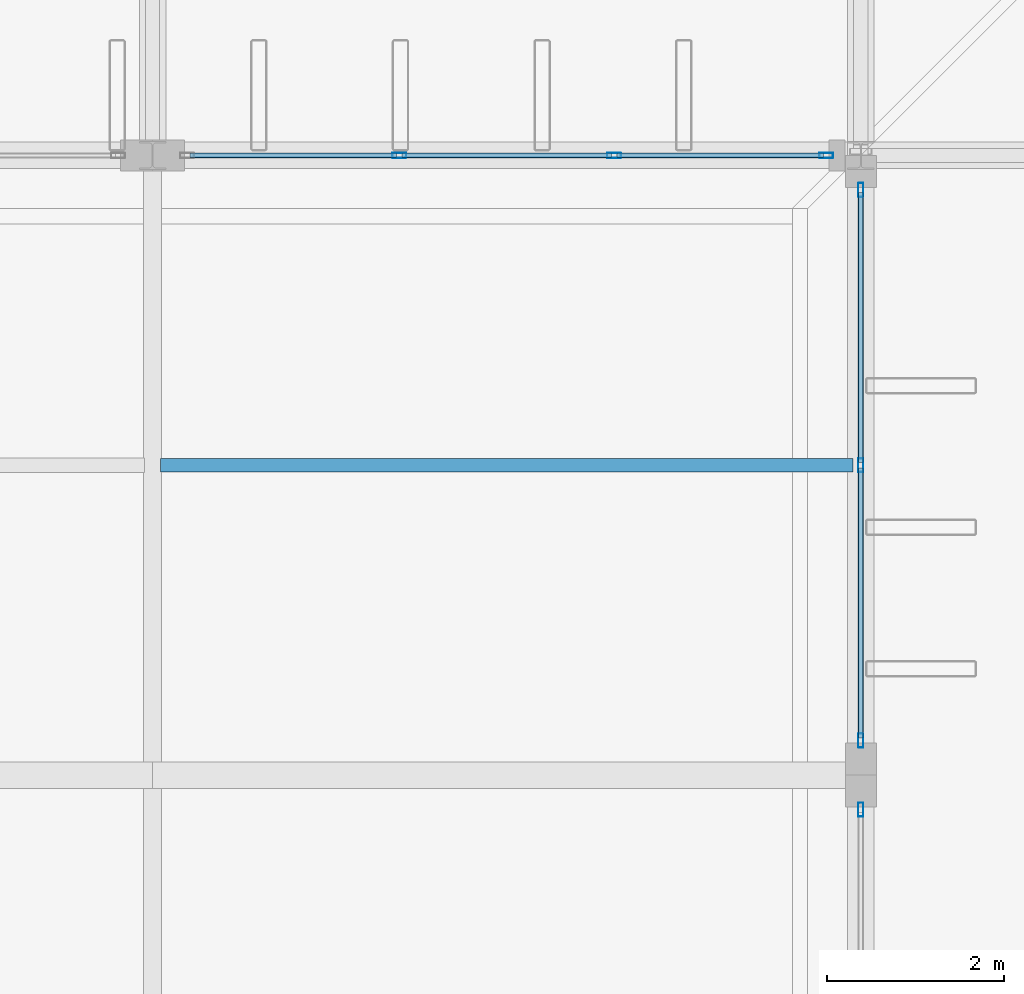
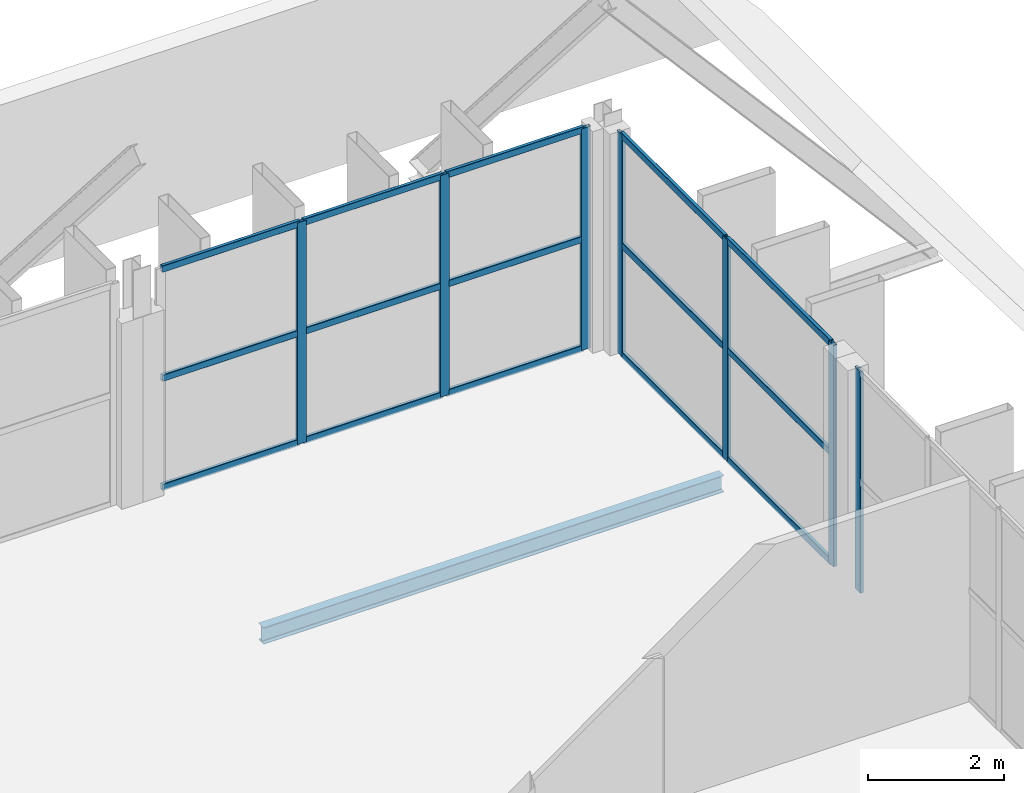
# One storey, part 59 of 93: 22 members, 1 beam, 3 elements without a shape of their own.
"""IFC4 building model written with IfcOpenShell, lengths in metres."""

from ifc_helpers import new_model, si_unit, direction, frame, origin, origin_2d, place, context, subcontext, project, spatial, hollow_rectangle, i_section, extrude, material, layer, layer_set, material_profile, profile_set, type_object, element, aggregate, save


model = new_model("IFC4")

# Units and contexts
model_context = context("Model", 3, precision=1e-05, world=origin(), true_north=direction((0.0, 1.0)))
body_context = subcontext(model_context, "Body", "Model", "MODEL_VIEW")
ifc_project = project(units=[si_unit("LENGTHUNIT", "METRE"), si_unit("AREAUNIT", "SQUARE_METRE"), si_unit("VOLUMEUNIT", "CUBIC_METRE"), si_unit("PLANEANGLEUNIT", "RADIAN"), si_unit("MASSUNIT", "GRAM", prefix="KILO")], contexts=[model_context])

# Site, building, storey
site_placement = place(None, origin())
site = spatial("IfcSite", under=ifc_project, at=site_placement, CompositionType="ELEMENT")
building_placement = place(site_placement, origin())
building = spatial("IfcBuilding", under=site, at=building_placement, Name="Vekula Escarpment Museum", CompositionType="ELEMENT")
storey_placement = place(building_placement, frame((0.0, 0.0, 22.199951171875)))
storey = spatial("IfcBuildingStorey", under=building, at=storey_placement, Name="L05", CompositionType="ELEMENT", Elevation=22.199951171875)

# Beam
ifc_material_1 = material(Name="Steel S355", Category="steel")
ifc_material_profile_1 = material_profile(ifc_material_1, i_section(OverallWidth=0.14990234375, OverallDepth=0.300048828125, WebThickness=0.007080078125, FlangeThickness=0.0107421875, FilletRadius=0.014892578125, at=origin_2d()), Name="IPE 300")
ifc_profile_set_1 = profile_set([ifc_material_profile_1], Name="Steel S355")
beam_type = type_object("IfcBeamType", Name="BM-JST-IPE300", PredefinedType="JOIST", material=ifc_profile_set_1)
beam_placement = place(storey_placement, frame((118.090087890625, 86.89990234375, -0.369873046875), z_axis=(1.0, 0.0, 0.0), x_axis=(0.0, 1.0, 0.0)))
element("IfcBeam", 1, at=beam_placement, inside=storey, type_object=beam_type, Name="Secondary Joist L05 1380", PredefinedType="JOIST", context=body_context, shape_type="SweptSolid", body=[
    extrude(i_section(OverallWidth=0.14990234375, OverallDepth=0.300048828125, WebThickness=0.007080078125, FlangeThickness=0.0107421875, FilletRadius=0.014892578125, at=origin_2d()), origin(), (0.0, 0.0, 1.0), 7.81982421875),
])

# Curtain wall, member
ifc_material_2 = material(Name="Aluminium thermally broken framing", Category="aluminium")
ifc_layer_1 = layer(ifc_material_2, 0.199951171875)
ifc_layer_set_1 = layer_set([ifc_layer_1], Name="Aluminium thermally broken framing")
curtain_wall_type_1 = type_object("IfcCurtainWallType", Name="CW-SYS-04", PredefinedType="NOTDEFINED", material=ifc_layer_set_1)
curtain_wall_1_placement = place(storey_placement, origin())
curtain_wall_1 = element("IfcCurtainWall", 2, at=curtain_wall_1_placement, inside=storey, type_object=curtain_wall_type_1, Name="Curtain Wall CW-L05-174", PredefinedType="NOTDEFINED")
ifc_material_3 = material(Name="Aluminium anodized mullion", Category="aluminium")
ifc_material_profile_2 = material_profile(ifc_material_3, hollow_rectangle(XDim=0.06005859375, YDim=0.159912109375, WallThickness=0.00390625, InnerFilletRadius=0.00390625, OuterFilletRadius=0.008056640625, at=origin_2d()), Name="ALU 160x60x4")
ifc_profile_set_2 = profile_set([ifc_material_profile_2], Name="Aluminium anodized mullion")
member_type_1 = type_object("IfcMemberType", Name="CW-MUL-160", PredefinedType="MULLION", material=ifc_profile_set_2)
member_1_placement = place(storey_placement, frame((126.0, 83.010009765625, 0.0), z_axis=(0.0, 0.0, 1.0), x_axis=(-1.0, 0.0, 0.0)))
member_1 = element("IfcMember", 3, at=member_1_placement, type_object=member_type_1, Name="CW-04 mullion 4", PredefinedType="MULLION", context=body_context, shape_type="SweptSolid", body=[
    extrude(hollow_rectangle(XDim=0.06005859375, YDim=0.159912109375, WallThickness=0.00390625, InnerFilletRadius=0.00390625, OuterFilletRadius=0.008056640625, at=origin_2d()), origin(), (0.0, 0.0, 1.0), 3.97998046875),
])
aggregate(curtain_wall_1, [member_1])

# Curtain wall, members
ifc_material_4 = material(Name="Aluminium thermally broken framing", Category="aluminium")
ifc_layer_2 = layer(ifc_material_4, 0.159912109375)
ifc_layer_set_2 = layer_set([ifc_layer_2], Name="Aluminium thermally broken framing")
curtain_wall_type_2 = type_object("IfcCurtainWallType", Name="CW-SYS-05", PredefinedType="NOTDEFINED", material=ifc_layer_set_2)
curtain_wall_2_placement = place(storey_placement, origin())
curtain_wall_2 = element("IfcCurtainWall", 4, at=curtain_wall_2_placement, inside=storey, type_object=curtain_wall_type_2, Name="Curtain Wall CW-L05-175", PredefinedType="NOTDEFINED")
member_2_placement = place(storey_placement, frame((126.0, 83.7900390625, 0.0), z_axis=(0.0, 0.0, 1.0), x_axis=(-1.0, 0.0, 0.0)))
member_2 = element("IfcMember", 5, at=member_2_placement, type_object=member_type_1, Name="CW-05 mullion 1", PredefinedType="MULLION", context=body_context, shape_type="SweptSolid", body=[
    extrude(hollow_rectangle(XDim=0.06005859375, YDim=0.159912109375, WallThickness=0.00390625, InnerFilletRadius=0.00390625, OuterFilletRadius=0.008056640625, at=origin_2d()), origin(), (0.0, 0.0, 1.0), 3.97998046875),
])
member_3_placement = place(storey_placement, frame((126.0, 86.89990234375, 0.0), z_axis=(0.0, 0.0, 1.0), x_axis=(-1.0, 0.0, 0.0)))
member_3 = element("IfcMember", 6, at=member_3_placement, type_object=member_type_1, Name="CW-05 mullion 2", PredefinedType="MULLION", context=body_context, shape_type="SweptSolid", body=[
    extrude(hollow_rectangle(XDim=0.06005859375, YDim=0.159912109375, WallThickness=0.00390625, InnerFilletRadius=0.00390625, OuterFilletRadius=0.008056640625, at=origin_2d()), origin(), (0.0, 0.0, 1.0), 3.97998046875),
])
member_4_placement = place(storey_placement, frame((126.0, 90.010009765625, 0.0), z_axis=(0.0, 0.0, 1.0), x_axis=(-1.0, 0.0, 0.0)))
member_4 = element("IfcMember", 7, at=member_4_placement, type_object=member_type_1, Name="CW-05 mullion 3", PredefinedType="MULLION", context=body_context, shape_type="SweptSolid", body=[
    extrude(hollow_rectangle(XDim=0.06005859375, YDim=0.159912109375, WallThickness=0.00390625, InnerFilletRadius=0.00390625, OuterFilletRadius=0.008056640625, at=origin_2d()), origin(), (0.0, 0.0, 1.0), 3.97998046875),
])

ifc_material_5 = material(Name="Aluminium thermally broken framing", Category="aluminium")
ifc_layer_3 = layer(ifc_material_5, 0.139892578125)
ifc_layer_set_3 = layer_set([ifc_layer_3], Name="Aluminium thermally broken framing")
curtain_wall_type_3 = type_object("IfcCurtainWallType", Name="CW-SYS-06", PredefinedType="NOTDEFINED", material=ifc_layer_set_3)
curtain_wall_3_placement = place(storey_placement, origin())
curtain_wall_3 = element("IfcCurtainWall", 8, at=curtain_wall_3_placement, inside=storey, type_object=curtain_wall_type_3, Name="Curtain Wall CW-L05-176", PredefinedType="NOTDEFINED")
member_5_placement = place(storey_placement, frame((125.610107421875, 90.39990234375, 0.0), z_axis=(0.0, 0.0, 1.0), x_axis=(0.0, -1.0, 0.0)))
member_5 = element("IfcMember", 9, at=member_5_placement, type_object=member_type_1, Name="CW-06 mullion 1", PredefinedType="MULLION", context=body_context, shape_type="SweptSolid", body=[
    extrude(hollow_rectangle(XDim=0.06005859375, YDim=0.159912109375, WallThickness=0.00390625, InnerFilletRadius=0.00390625, OuterFilletRadius=0.008056640625, at=origin_2d()), origin(), (0.0, 0.0, 1.0), 3.97998046875),
])
member_6_placement = place(storey_placement, frame((123.21337890625, 90.39990234375, 0.0), z_axis=(0.0, 0.0, 1.0), x_axis=(0.0, -1.0, 0.0)))
member_6 = element("IfcMember", 10, at=member_6_placement, type_object=member_type_1, Name="CW-06 mullion 2", PredefinedType="MULLION", context=body_context, shape_type="SweptSolid", body=[
    extrude(hollow_rectangle(XDim=0.06005859375, YDim=0.159912109375, WallThickness=0.00390625, InnerFilletRadius=0.00390625, OuterFilletRadius=0.008056640625, at=origin_2d()), origin(), (0.0, 0.0, 1.0), 3.97998046875),
])
member_7_placement = place(storey_placement, frame((120.78662109375, 90.39990234375, 0.0), z_axis=(0.0, 0.0, 1.0), x_axis=(0.0, -1.0, 0.0)))
member_7 = element("IfcMember", 11, at=member_7_placement, type_object=member_type_1, Name="CW-06 mullion 3", PredefinedType="MULLION", context=body_context, shape_type="SweptSolid", body=[
    extrude(hollow_rectangle(XDim=0.06005859375, YDim=0.159912109375, WallThickness=0.00390625, InnerFilletRadius=0.00390625, OuterFilletRadius=0.008056640625, at=origin_2d()), origin(), (0.0, 0.0, 1.0), 3.97998046875),
])

# Member
ifc_material_6 = material(Name="Aluminium anodized transom", Category="aluminium")
ifc_material_profile_3 = material_profile(ifc_material_6, hollow_rectangle(XDim=0.06005859375, YDim=0.1201171875, WallThickness=0.00390625, InnerFilletRadius=0.00390625, OuterFilletRadius=0.008056640625, at=origin_2d()), Name="ALU 120x60x4")
ifc_profile_set_3 = profile_set([ifc_material_profile_3], Name="Aluminium anodized transom")
member_type_2 = type_object("IfcMemberType", Name="CW-TRN-120", PredefinedType="USERDEFINED", material=ifc_profile_set_3)
member_8_placement = place(storey_placement, frame((126.0, 83.820068359375, 0.030029296875), z_axis=(0.0, 1.0, 0.0), x_axis=(-1.0, 0.0, 0.0)))
member_8 = element("IfcMember", 12, at=member_8_placement, type_object=member_type_2, Name="CW-05 transom 1.1", ObjectType="TRANSOM", PredefinedType="USERDEFINED", context=body_context, shape_type="SweptSolid", body=[
    extrude(hollow_rectangle(XDim=0.06005859375, YDim=0.1201171875, WallThickness=0.00390625, InnerFilletRadius=0.00390625, OuterFilletRadius=0.008056640625, at=origin_2d()), origin(), (0.0, 0.0, 1.0), 3.050048828125),
])

member_9_placement = place(storey_placement, frame((126.0, 83.820068359375, 1.989990234375), z_axis=(0.0, 1.0, 0.0), x_axis=(-1.0, 0.0, 0.0)))
member_9 = element("IfcMember", 13, at=member_9_placement, type_object=member_type_2, Name="CW-05 transom 1.2", ObjectType="TRANSOM", PredefinedType="USERDEFINED", context=body_context, shape_type="SweptSolid", body=[
    extrude(hollow_rectangle(XDim=0.06005859375, YDim=0.1201171875, WallThickness=0.00390625, InnerFilletRadius=0.00390625, OuterFilletRadius=0.008056640625, at=origin_2d()), origin(), (0.0, 0.0, 1.0), 3.050048828125),
])

member_10_placement = place(storey_placement, frame((126.0, 83.820068359375, 3.949951171875), z_axis=(0.0, 1.0, 0.0), x_axis=(-1.0, 0.0, 0.0)))
member_10 = element("IfcMember", 14, at=member_10_placement, type_object=member_type_2, Name="CW-05 transom 1.3", ObjectType="TRANSOM", PredefinedType="USERDEFINED", context=body_context, shape_type="SweptSolid", body=[
    extrude(hollow_rectangle(XDim=0.06005859375, YDim=0.1201171875, WallThickness=0.00390625, InnerFilletRadius=0.00390625, OuterFilletRadius=0.008056640625, at=origin_2d()), origin(), (0.0, 0.0, 1.0), 3.050048828125),
])

member_11_placement = place(storey_placement, frame((126.0, 86.929931640625, 0.030029296875), z_axis=(0.0, 1.0, 0.0), x_axis=(-1.0, 0.0, 0.0)))
member_11 = element("IfcMember", 15, at=member_11_placement, type_object=member_type_2, Name="CW-05 transom 2.1", ObjectType="TRANSOM", PredefinedType="USERDEFINED", context=body_context, shape_type="SweptSolid", body=[
    extrude(hollow_rectangle(XDim=0.06005859375, YDim=0.1201171875, WallThickness=0.00390625, InnerFilletRadius=0.00390625, OuterFilletRadius=0.008056640625, at=origin_2d()), origin(), (0.0, 0.0, 1.0), 3.050048828125),
])

member_12_placement = place(storey_placement, frame((126.0, 86.929931640625, 1.989990234375), z_axis=(0.0, 1.0, 0.0), x_axis=(-1.0, 0.0, 0.0)))
member_12 = element("IfcMember", 16, at=member_12_placement, type_object=member_type_2, Name="CW-05 transom 2.2", ObjectType="TRANSOM", PredefinedType="USERDEFINED", context=body_context, shape_type="SweptSolid", body=[
    extrude(hollow_rectangle(XDim=0.06005859375, YDim=0.1201171875, WallThickness=0.00390625, InnerFilletRadius=0.00390625, OuterFilletRadius=0.008056640625, at=origin_2d()), origin(), (0.0, 0.0, 1.0), 3.050048828125),
])

member_13_placement = place(storey_placement, frame((126.0, 86.929931640625, 3.949951171875), z_axis=(0.0, 1.0, 0.0), x_axis=(-1.0, 0.0, 0.0)))
member_13 = element("IfcMember", 17, at=member_13_placement, type_object=member_type_2, Name="CW-05 transom 2.3", ObjectType="TRANSOM", PredefinedType="USERDEFINED", context=body_context, shape_type="SweptSolid", body=[
    extrude(hollow_rectangle(XDim=0.06005859375, YDim=0.1201171875, WallThickness=0.00390625, InnerFilletRadius=0.00390625, OuterFilletRadius=0.008056640625, at=origin_2d()), origin(), (0.0, 0.0, 1.0), 3.050048828125),
])

aggregate(curtain_wall_2, [member_2, member_3, member_4, member_8, member_9, member_10, member_11, member_12, member_13])

member_14_placement = place(storey_placement, frame((125.580078125, 90.39990234375, 0.030029296875), z_axis=(-1.0, 0.0, 0.0), x_axis=(0.0, -1.0, 0.0)))
member_14 = element("IfcMember", 18, at=member_14_placement, type_object=member_type_2, Name="CW-06 transom 1.1", ObjectType="TRANSOM", PredefinedType="USERDEFINED", context=body_context, shape_type="SweptSolid", body=[
    extrude(hollow_rectangle(XDim=0.06005859375, YDim=0.1201171875, WallThickness=0.00390625, InnerFilletRadius=0.00390625, OuterFilletRadius=0.008056640625, at=origin_2d()), origin(), (0.0, 0.0, 1.0), 2.336669921875),
])

member_15_placement = place(storey_placement, frame((125.580078125, 90.39990234375, 1.989990234375), z_axis=(-1.0, 0.0, 0.0), x_axis=(0.0, -1.0, 0.0)))
member_15 = element("IfcMember", 19, at=member_15_placement, type_object=member_type_2, Name="CW-06 transom 1.2", ObjectType="TRANSOM", PredefinedType="USERDEFINED", context=body_context, shape_type="SweptSolid", body=[
    extrude(hollow_rectangle(XDim=0.06005859375, YDim=0.1201171875, WallThickness=0.00390625, InnerFilletRadius=0.00390625, OuterFilletRadius=0.008056640625, at=origin_2d()), origin(), (0.0, 0.0, 1.0), 2.336669921875),
])

member_16_placement = place(storey_placement, frame((125.580078125, 90.39990234375, 3.949951171875), z_axis=(-1.0, 0.0, 0.0), x_axis=(0.0, -1.0, 0.0)))
member_16 = element("IfcMember", 20, at=member_16_placement, type_object=member_type_2, Name="CW-06 transom 1.3", ObjectType="TRANSOM", PredefinedType="USERDEFINED", context=body_context, shape_type="SweptSolid", body=[
    extrude(hollow_rectangle(XDim=0.06005859375, YDim=0.1201171875, WallThickness=0.00390625, InnerFilletRadius=0.00390625, OuterFilletRadius=0.008056640625, at=origin_2d()), origin(), (0.0, 0.0, 1.0), 2.336669921875),
])

member_17_placement = place(storey_placement, frame((123.183349609375, 90.39990234375, 0.030029296875), z_axis=(-1.0, 0.0, 0.0), x_axis=(0.0, -1.0, 0.0)))
member_17 = element("IfcMember", 21, at=member_17_placement, type_object=member_type_2, Name="CW-06 transom 2.1", ObjectType="TRANSOM", PredefinedType="USERDEFINED", context=body_context, shape_type="SweptSolid", body=[
    extrude(hollow_rectangle(XDim=0.06005859375, YDim=0.1201171875, WallThickness=0.00390625, InnerFilletRadius=0.00390625, OuterFilletRadius=0.008056640625, at=origin_2d()), origin(), (0.0, 0.0, 1.0), 2.36669921875),
])

member_18_placement = place(storey_placement, frame((123.183349609375, 90.39990234375, 1.989990234375), z_axis=(-1.0, 0.0, 0.0), x_axis=(0.0, -1.0, 0.0)))
member_18 = element("IfcMember", 22, at=member_18_placement, type_object=member_type_2, Name="CW-06 transom 2.2", ObjectType="TRANSOM", PredefinedType="USERDEFINED", context=body_context, shape_type="SweptSolid", body=[
    extrude(hollow_rectangle(XDim=0.06005859375, YDim=0.1201171875, WallThickness=0.00390625, InnerFilletRadius=0.00390625, OuterFilletRadius=0.008056640625, at=origin_2d()), origin(), (0.0, 0.0, 1.0), 2.36669921875),
])

member_19_placement = place(storey_placement, frame((123.183349609375, 90.39990234375, 3.949951171875), z_axis=(-1.0, 0.0, 0.0), x_axis=(0.0, -1.0, 0.0)))
member_19 = element("IfcMember", 23, at=member_19_placement, type_object=member_type_2, Name="CW-06 transom 2.3", ObjectType="TRANSOM", PredefinedType="USERDEFINED", context=body_context, shape_type="SweptSolid", body=[
    extrude(hollow_rectangle(XDim=0.06005859375, YDim=0.1201171875, WallThickness=0.00390625, InnerFilletRadius=0.00390625, OuterFilletRadius=0.008056640625, at=origin_2d()), origin(), (0.0, 0.0, 1.0), 2.36669921875),
])

member_20_placement = place(storey_placement, frame((120.756591796875, 90.39990234375, 0.030029296875), z_axis=(-1.0, 0.0, 0.0), x_axis=(0.0, -1.0, 0.0)))
member_20 = element("IfcMember", 24, at=member_20_placement, type_object=member_type_2, Name="CW-06 transom 3.1", ObjectType="TRANSOM", PredefinedType="USERDEFINED", context=body_context, shape_type="SweptSolid", body=[
    extrude(hollow_rectangle(XDim=0.06005859375, YDim=0.1201171875, WallThickness=0.00390625, InnerFilletRadius=0.00390625, OuterFilletRadius=0.008056640625, at=origin_2d()), origin(), (0.0, 0.0, 1.0), 2.336669921875),
])

member_21_placement = place(storey_placement, frame((120.756591796875, 90.39990234375, 1.989990234375), z_axis=(-1.0, 0.0, 0.0), x_axis=(0.0, -1.0, 0.0)))
member_21 = element("IfcMember", 25, at=member_21_placement, type_object=member_type_2, Name="CW-06 transom 3.2", ObjectType="TRANSOM", PredefinedType="USERDEFINED", context=body_context, shape_type="SweptSolid", body=[
    extrude(hollow_rectangle(XDim=0.06005859375, YDim=0.1201171875, WallThickness=0.00390625, InnerFilletRadius=0.00390625, OuterFilletRadius=0.008056640625, at=origin_2d()), origin(), (0.0, 0.0, 1.0), 2.336669921875),
])

member_22_placement = place(storey_placement, frame((120.756591796875, 90.39990234375, 3.949951171875), z_axis=(-1.0, 0.0, 0.0), x_axis=(0.0, -1.0, 0.0)))
member_22 = element("IfcMember", 26, at=member_22_placement, type_object=member_type_2, Name="CW-06 transom 3.3", ObjectType="TRANSOM", PredefinedType="USERDEFINED", context=body_context, shape_type="SweptSolid", body=[
    extrude(hollow_rectangle(XDim=0.06005859375, YDim=0.1201171875, WallThickness=0.00390625, InnerFilletRadius=0.00390625, OuterFilletRadius=0.008056640625, at=origin_2d()), origin(), (0.0, 0.0, 1.0), 2.336669921875),
])

aggregate(curtain_wall_3, [member_5, member_6, member_7, member_14, member_15, member_16, member_17, member_18, member_19, member_20, member_21, member_22])

save(model, "model.ifc")
